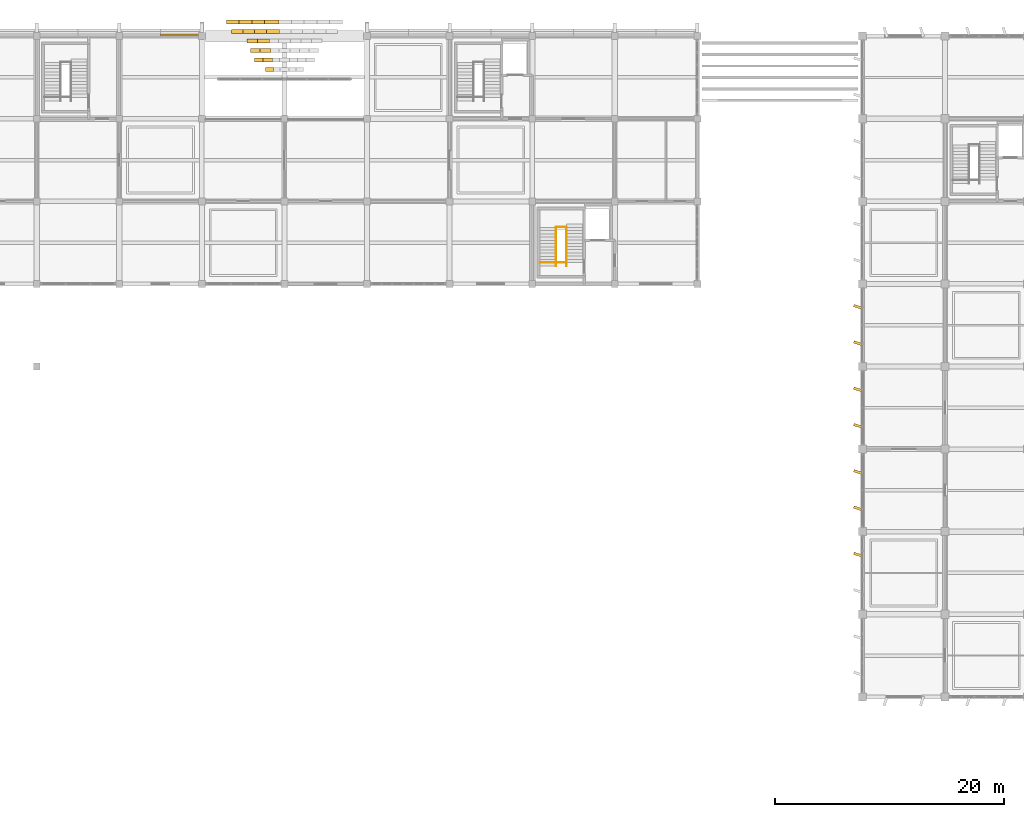
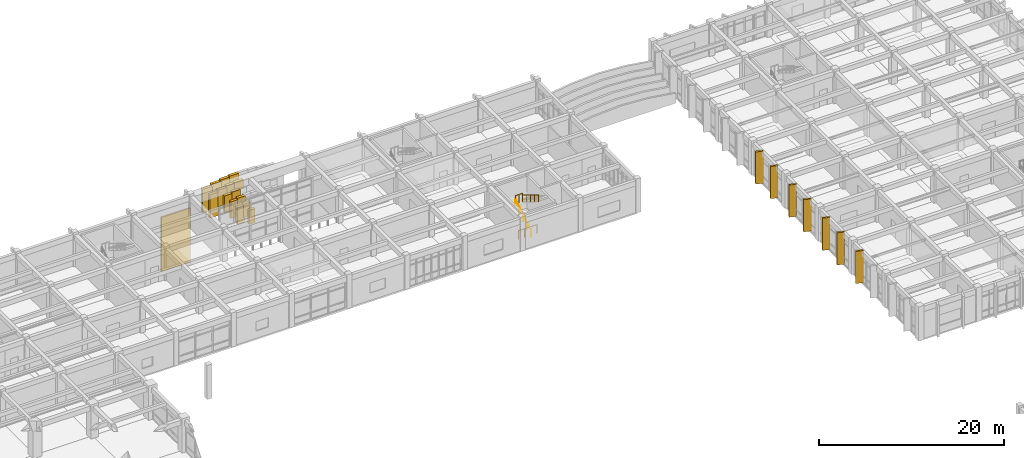
# One storey, part 77 of 81: 23 coverings, 4 railings.
"""IFC4 building model written with IfcOpenShell, lengths in metres."""

from ifc_helpers import new_model, si_unit, direction, frame, origin, origin_2d, place, context, subcontext, project, spatial, polyline, rectangle, circle, outline, extrude, material, layer, layer_set, type_object, element, save


model = new_model("IFC4")

# Units and contexts
model_context = context("Model", 3, precision=1e-05, world=origin(), true_north=direction((0.0, 1.0)))
body_context = subcontext(model_context, "Body", "Model", "MODEL_VIEW")
ifc_project = project(units=[si_unit("LENGTHUNIT", "METRE"), si_unit("AREAUNIT", "SQUARE_METRE"), si_unit("VOLUMEUNIT", "CUBIC_METRE"), si_unit("PLANEANGLEUNIT", "RADIAN"), si_unit("MASSUNIT", "GRAM", prefix="KILO")], contexts=[model_context])

# Site, building, storey
site_placement = place(None, origin())
site = spatial("IfcSite", under=ifc_project, at=site_placement, CompositionType="ELEMENT")
building_placement = place(site_placement, origin())
building = spatial("IfcBuilding", under=site, at=building_placement, Name="Kavelor Marine Aquarium", CompositionType="ELEMENT")
storey_placement = place(building_placement, frame((0.0, 0.0, 4.679931640625)))
storey = spatial("IfcBuildingStorey", under=building, at=storey_placement, Name="L01", CompositionType="ELEMENT", Elevation=4.679931640625)

# Coverings
ifc_material_1 = material(Name="Concrete C45/55", Category="concrete")
ifc_layer_1 = layer(ifc_material_1, 0.300048828125)
ifc_layer_set_1 = layer_set([ifc_layer_1], Name="COV-BND1")
covering_type_1 = type_object("IfcCoveringType", Name="COV-BND1", PredefinedType="CLADDING", material=ifc_layer_set_1)
covering_1_placement = place(storey_placement, frame((0.0, 0.0, 0.36669921875)))
element("IfcCovering", 1, at=covering_1_placement, inside=storey, type_object=covering_type_1, Name="arch:north:1:seg:01", PredefinedType="CLADDING", context=body_context, shape_type="SweptSolid", body=[
    extrude(outline(polyline([(62.94921875, 111.8701171875), (64.17822265625, 111.8701171875), (64.17822265625, 112.2099609375), (62.94921875, 112.2099609375), (62.94921875, 111.8701171875)])), origin(), (0.0, 0.0, 1.0), 3.125),
])
covering_2_placement = place(storey_placement, frame((0.0, 0.0, 1.59326171875)))
element("IfcCovering", 2, at=covering_2_placement, inside=storey, type_object=covering_type_1, Name="arch:north:1:seg:02", PredefinedType="CLADDING", context=body_context, shape_type="SweptSolid", body=[
    extrude(outline(polyline([(64.05810546875, 111.8701171875), (65.287353515625, 111.8701171875), (65.287353515625, 112.2099609375), (64.05810546875, 112.2099609375), (64.05810546875, 111.8701171875)])), origin(), (0.0, 0.0, 1.0), 2.164794921875),
])
covering_3_placement = place(storey_placement, frame((0.0, 0.0, 2.46923828125)))
element("IfcCovering", 3, at=covering_3_placement, inside=storey, type_object=covering_type_1, Name="arch:north:1:seg:03", PredefinedType="CLADDING", context=body_context, shape_type="SweptSolid", body=[
    extrude(outline(polyline([(65.167236328125, 111.8701171875), (66.396484375, 111.8701171875), (66.396484375, 112.2099609375), (65.167236328125, 112.2099609375), (65.167236328125, 111.8701171875)])), origin(), (0.0, 0.0, 1.0), 1.478759765625),
])
covering_4_placement = place(storey_placement, frame((0.0, 0.0, 2.994873046875)))
element("IfcCovering", 4, at=covering_4_placement, inside=storey, type_object=covering_type_1, Name="arch:north:1:seg:04", PredefinedType="CLADDING", context=body_context, shape_type="SweptSolid", body=[
    extrude(outline(polyline([(66.2763671875, 111.8701171875), (67.505615234375, 111.8701171875), (67.505615234375, 112.2099609375), (66.2763671875, 112.2099609375), (66.2763671875, 111.8701171875)])), origin(), (0.0, 0.0, 1.0), 1.067138671875),
])
ifc_material_2 = material(Name="Concrete C45/55", Category="concrete")
ifc_layer_2 = layer(ifc_material_2, 0.320068359375)
ifc_layer_set_2 = layer_set([ifc_layer_2], Name="COV-BND2")
covering_type_2 = type_object("IfcCoveringType", Name="COV-BND2", PredefinedType="CLADDING", material=ifc_layer_set_2)
covering_5_placement = place(storey_placement, frame((0.0, 0.0, 0.05712890625)))
element("IfcCovering", 5, at=covering_5_placement, inside=storey, type_object=covering_type_2, Name="arch:north:2:seg:01", PredefinedType="CLADDING", context=body_context, shape_type="SweptSolid", body=[
    extrude(outline(polyline([(63.37451171875, 111.0400390625), (64.509033203125, 111.0400390625), (64.509033203125, 111.3798828125), (63.37451171875, 111.3798828125), (63.37451171875, 111.0400390625)])), origin(), (0.0, 0.0, 1.0), 3.0546875),
])
covering_6_placement = place(storey_placement, frame((0.0, 0.0, 1.2001953125)))
element("IfcCovering", 6, at=covering_6_placement, inside=storey, type_object=covering_type_2, Name="arch:north:2:seg:02", PredefinedType="CLADDING", context=body_context, shape_type="SweptSolid", body=[
    extrude(outline(polyline([(64.38916015625, 111.0400390625), (65.523681640625, 111.0400390625), (65.523681640625, 111.3798828125), (64.38916015625, 111.3798828125), (64.38916015625, 111.0400390625)])), origin(), (0.0, 0.0, 1.0), 2.177734375),
])
covering_7_placement = place(storey_placement, frame((0.0, 0.0, 2.016845703125)))
element("IfcCovering", 7, at=covering_7_placement, inside=storey, type_object=covering_type_2, Name="arch:north:2:seg:03", PredefinedType="CLADDING", context=body_context, shape_type="SweptSolid", body=[
    extrude(outline(polyline([(65.403564453125, 111.0400390625), (66.5380859375, 111.0400390625), (66.5380859375, 111.3798828125), (65.403564453125, 111.3798828125), (65.403564453125, 111.0400390625)])), origin(), (0.0, 0.0, 1.0), 1.551025390625),
])
covering_8_placement = place(storey_placement, frame((0.0, 0.0, 2.5068359375)))
element("IfcCovering", 8, at=covering_8_placement, inside=storey, type_object=covering_type_2, Name="arch:north:2:seg:04", PredefinedType="CLADDING", context=body_context, shape_type="SweptSolid", body=[
    extrude(outline(polyline([(66.418212890625, 111.0400390625), (67.552734375, 111.0400390625), (67.552734375, 111.3798828125), (66.418212890625, 111.3798828125), (66.418212890625, 111.0400390625)])), origin(), (0.0, 0.0, 1.0), 1.17529296875),
])
ifc_material_3 = material(Name="Concrete C45/55", Category="concrete")
ifc_layer_3 = layer(ifc_material_3, 0.340087890625)
ifc_layer_set_3 = layer_set([ifc_layer_3], Name="COV-BND3")
covering_type_3 = type_object("IfcCoveringType", Name="COV-BND3", PredefinedType="CLADDING", material=ifc_layer_set_3)
covering_9_placement = place(storey_placement, frame((0.0, 0.0, 0.807373046875)))
element("IfcCovering", 9, at=covering_9_placement, inside=storey, type_object=covering_type_3, Name="arch:north:3:seg:02", PredefinedType="CLADDING", context=body_context, shape_type="SweptSolid", body=[
    extrude(outline(polyline([(64.719970703125, 110.2099609375), (65.760009765625, 110.2099609375), (65.760009765625, 110.550048828125), (64.719970703125, 110.550048828125), (64.719970703125, 110.2099609375)])), origin(), (0.0, 0.0, 1.0), 2.190673828125),
])
covering_10_placement = place(storey_placement, frame((0.0, 0.0, 1.564453125)))
element("IfcCovering", 10, at=covering_10_placement, inside=storey, type_object=covering_type_3, Name="arch:north:3:seg:03", PredefinedType="CLADDING", context=body_context, shape_type="SweptSolid", body=[
    extrude(outline(polyline([(65.639892578125, 110.2099609375), (66.679931640625, 110.2099609375), (66.679931640625, 110.550048828125), (65.639892578125, 110.550048828125), (65.639892578125, 110.2099609375)])), origin(), (0.0, 0.0, 1.0), 1.62353515625),
])
ifc_material_4 = material(Name="Concrete C45/55", Category="concrete")
ifc_layer_4 = layer(ifc_material_4, 0.360107421875)
ifc_layer_set_4 = layer_set([ifc_layer_4], Name="COV-BND4")
covering_type_4 = type_object("IfcCoveringType", Name="COV-BND4", PredefinedType="CLADDING", material=ifc_layer_set_4)
covering_11_placement = place(storey_placement, frame((0.0, 0.0, 0.41455078125)))
element("IfcCovering", 11, at=covering_11_placement, inside=storey, type_object=covering_type_4, Name="arch:north:4:seg:02", PredefinedType="CLADDING", context=body_context, shape_type="SweptSolid", body=[
    extrude(outline(polyline([(65.05078125, 109.3798828125), (65.996337890625, 109.3798828125), (65.996337890625, 109.719970703125), (65.05078125, 109.719970703125), (65.05078125, 109.3798828125)])), origin(), (0.0, 0.0, 1.0), 2.203369140625),
])
covering_12_placement = place(storey_placement, frame((0.0, 0.0, 1.112060546875)))
element("IfcCovering", 12, at=covering_12_placement, inside=storey, type_object=covering_type_4, Name="arch:north:4:seg:03", PredefinedType="CLADDING", context=body_context, shape_type="SweptSolid", body=[
    extrude(outline(polyline([(65.87646484375, 109.3798828125), (66.82177734375, 109.3798828125), (66.82177734375, 109.719970703125), (65.87646484375, 109.719970703125), (65.87646484375, 109.3798828125)])), origin(), (0.0, 0.0, 1.0), 1.69580078125),
])
ifc_material_5 = material(Name="Concrete C45/55", Category="concrete")
ifc_layer_5 = layer(ifc_material_5, 0.3798828125)
ifc_layer_set_5 = layer_set([ifc_layer_5], Name="COV-BND5")
covering_type_5 = type_object("IfcCoveringType", Name="COV-BND5", PredefinedType="CLADDING", material=ifc_layer_set_5)
covering_13_placement = place(storey_placement, frame((0.0, 0.0, 0.021728515625)))
element("IfcCovering", 13, at=covering_13_placement, inside=storey, type_object=covering_type_5, Name="arch:north:5:seg:02", PredefinedType="CLADDING", context=body_context, shape_type="SweptSolid", body=[
    extrude(outline(polyline([(65.3818359375, 108.550048828125), (66.232666015625, 108.550048828125), (66.232666015625, 108.889892578125), (65.3818359375, 108.889892578125), (65.3818359375, 108.550048828125)])), origin(), (0.0, 0.0, 1.0), 2.21630859375),
])
covering_14_placement = place(storey_placement, frame((0.0, 0.0, 0.65966796875)))
element("IfcCovering", 14, at=covering_14_placement, inside=storey, type_object=covering_type_5, Name="arch:north:5:seg:03", PredefinedType="CLADDING", context=body_context, shape_type="SweptSolid", body=[
    extrude(outline(polyline([(66.11279296875, 108.550048828125), (66.963623046875, 108.550048828125), (66.963623046875, 108.889892578125), (66.11279296875, 108.889892578125), (66.11279296875, 108.550048828125)])), origin(), (0.0, 0.0, 1.0), 1.768310546875),
])
ifc_material_6 = material(Name="Concrete C45/55", Category="concrete")
ifc_layer_6 = layer(ifc_material_6, 0.39990234375)
ifc_layer_set_6 = layer_set([ifc_layer_6], Name="COV-BND6")
covering_type_6 = type_object("IfcCoveringType", Name="COV-BND6", PredefinedType="CLADDING", material=ifc_layer_set_6)
covering_15_placement = place(storey_placement, frame((0.0, 0.0, -4.679931640625)))
element("IfcCovering", 15, at=covering_15_placement, inside=storey, type_object=covering_type_6, Name="band:north:6:l:05", PredefinedType="CLADDING", context=body_context, shape_type="SweptSolid", body=[
    extrude(outline(polyline([(57.199951171875, 110.800048828125), (60.800048828125, 110.800048828125), (60.800048828125, 110.989990234375), (57.199951171875, 110.989990234375), (57.199951171875, 110.800048828125)])), origin(), (0.0, 0.0, 1.0), 7.12060546875),
])
covering_16_placement = place(storey_placement, frame((0.0, 0.0, 0.207275390625)))
element("IfcCovering", 16, at=covering_16_placement, inside=storey, type_object=covering_type_6, Name="arch:north:6:seg:03", PredefinedType="CLADDING", context=body_context, shape_type="SweptSolid", body=[
    extrude(outline(polyline([(66.34912109375, 107.719970703125), (67.10546875, 107.719970703125), (67.10546875, 108.06005859375), (66.34912109375, 108.06005859375), (66.34912109375, 107.719970703125)])), origin(), (0.0, 0.0, 1.0), 1.840576171875),
])
ifc_material_7 = material(Name="Precast Concrete C45/55 Coastal Brise-Soleil Fin", Category="concrete")
ifc_layer_7 = layer(ifc_material_7, 0.219970703125)
ifc_layer_set_7 = layer_set([ifc_layer_7], Name="COV-CL1")
covering_type_7 = type_object("IfcCoveringType", Name="COV-CL1", PredefinedType="CLADDING", material=ifc_layer_set_7)
for number, where, z_axis, x_axis, name in (
    (17, (118.0400390625, 65.583984375, 0.0), (0.0, 0.0, 1.0), (0.951056516295, -0.309016994375, 0.0), "fin:y:L01:16_08:1"),
    (18, (118.0400390625, 69.615966796875, 0.0), (0.0, 0.0, 1.0), (0.951056516295, -0.309016994375, 0.0), "fin:y:L01:16_09:0"),
    (19, (118.0400390625, 72.783935546875, 0.0), (0.0, 0.0, 1.0), (0.951056516295, -0.309016994375, 0.0), "fin:y:L01:16_09:1"),
    (20, (118.0400390625, 76.81591796875, 0.0), (0.0, 0.0, 1.0), (0.951056516295, -0.309016994375, 0.0), "fin:y:L01:16_10:0"),
    (21, (118.0400390625, 79.98388671875, 0.0), (0.0, 0.0, 1.0), (0.951056516295, -0.309016994375, 0.0), "fin:y:L01:16_10:1"),
    (22, (118.0400390625, 84.01611328125, 0.0), (0.0, 0.0, 1.0), (0.951056516295, -0.309016994375, 0.0), "fin:y:L01:16_11:0"),
    (23, (118.0400390625, 87.18408203125, 0.0), (0.0, 0.0, 1.0), (0.951056516295, -0.309016994375, 0.0), "fin:y:L01:16_11:1"),
):
    element("IfcCovering", number, at=place(storey_placement, frame(where, z_axis=z_axis, x_axis=x_axis)), inside=storey, type_object=covering_type_7, Name=name, PredefinedType="CLADDING", context=body_context, shape_type="SweptSolid", body=[
        extrude(rectangle(XDim=0.85009765625, YDim=0.219970703125, at=origin_2d()), origin(), (0.0, 0.0, 1.0), 4.239990234375),
    ])

# Railings
ifc_material_8 = material(Name="Brushed Stainless Steel Wall and Flight Handrail", Category="steel")
railing_type_1 = type_object("IfcRailingType", Name="RL-HR1", PredefinedType="HANDRAIL", material=ifc_material_8)
railing_1_placement = place(storey_placement, frame((91.68994140625, 90.760009765625, 0.0)))
element("IfcRailing", 24, at=railing_1_placement, inside=storey, type_object=railing_type_1, Name="Stair Handrail ST07-1", PredefinedType="HANDRAIL", context=body_context, shape_type="SweptSolid", body=[
    extrude(circle(Radius=0.02001953125, at=origin_2d()), frame((0.0, 0.0, 0.8798828125), z_axis=(0.0, 0.850623216509, 0.525775754039), x_axis=(-1.0, 0.0, 0.0)), (0.0, 0.0, 1.0), 3.9501953125),
    extrude(circle(Radius=0.01806640625, at=origin_2d()), origin(), (0.0, 0.0, 1.0), 0.85986328125),
    extrude(circle(Radius=0.01806640625, at=origin_2d()), frame((0.0, 0.840087890625, 0.519287109375)), (0.0, 0.0, 1.0), 0.85986328125),
    extrude(circle(Radius=0.01806640625, at=origin_2d()), frame((0.0, 1.68017578125, 1.03857421875)), (0.0, 0.0, 1.0), 0.85986328125),
    extrude(circle(Radius=0.01806640625, at=origin_2d()), frame((0.0, 2.52001953125, 1.5576171875)), (0.0, 0.0, 1.0), 0.85986328125),
    extrude(circle(Radius=0.01806640625, at=origin_2d()), frame((0.0, 3.360107421875, 2.076904296875)), (0.0, 0.0, 1.0), 0.85986328125),
])
railing_2_placement = place(storey_placement, frame((92.590087890625, 94.1201171875, 2.25)))
element("IfcRailing", 25, at=railing_2_placement, inside=storey, type_object=railing_type_1, Name="Stair Handrail ST07-2", PredefinedType="HANDRAIL", context=body_context, shape_type="SweptSolid", body=[
    extrude(circle(Radius=0.02001953125, at=origin_2d()), frame((0.0, 0.0, 0.8798828125), z_axis=(0.0, -0.850623216509, 0.525775754039), x_axis=(1.0, 0.0, 0.0)), (0.0, 0.0, 1.0), 3.9501953125),
    extrude(circle(Radius=0.01806640625, at=origin_2d()), origin(), (0.0, 0.0, 1.0), 0.85986328125),
    extrude(circle(Radius=0.01806640625, at=origin_2d()), frame((0.0, -0.840087890625, 0.519287109375)), (0.0, 0.0, 1.0), 0.85986328125),
    extrude(circle(Radius=0.01806640625, at=origin_2d()), frame((0.0, -1.68017578125, 1.03857421875)), (0.0, 0.0, 1.0), 0.85986328125),
    extrude(circle(Radius=0.01806640625, at=origin_2d()), frame((0.0, -2.52001953125, 1.5576171875)), (0.0, 0.0, 1.0), 0.85986328125),
    extrude(circle(Radius=0.01806640625, at=origin_2d()), frame((0.0, -3.360107421875, 2.076904296875)), (0.0, 0.0, 1.0), 0.85986328125),
])
ifc_material_9 = material(Name="Brushed Stainless Steel Stair Guardrail", Category="steel")
railing_type_2 = type_object("IfcRailingType", Name="RL-SG1", PredefinedType="GUARDRAIL", material=ifc_material_9)
railing_3_placement = place(storey_placement, frame((91.68994140625, 94.14990234375, 2.25)))
element("IfcRailing", 26, at=railing_3_placement, inside=storey, type_object=railing_type_2, Name="Landing Guardrail ST07-M", PredefinedType="GUARDRAIL", context=body_context, shape_type="SweptSolid", body=[
    extrude(circle(Radius=0.0224609375, at=origin_2d()), frame((0.0, 0.0, 1.09765625), z_axis=(1.0, 0.0, 0.0), x_axis=(0.0, 1.0, 0.0)), (0.0, 0.0, 1.0), 0.900146484375),
    extrude(circle(Radius=0.02099609375, at=origin_2d()), origin(), (0.0, 0.0, 1.0), 1.0751953125),
    extrude(circle(Radius=0.02099609375, at=origin_2d()), frame((0.4501953125, 0.0, 0.0)), (0.0, 0.0, 1.0), 1.0751953125),
    extrude(circle(Radius=0.02099609375, at=origin_2d()), frame((0.900146484375, 0.0, 0.0)), (0.0, 0.0, 1.0), 1.0751953125),
])
railing_4_placement = place(storey_placement, frame((90.280029296875, 91.080078125, 0.0)))
element("IfcRailing", 27, at=railing_4_placement, inside=storey, type_object=railing_type_2, Name="Stairwell Guardrail ST07-W", PredefinedType="GUARDRAIL", context=body_context, shape_type="SweptSolid", body=[
    extrude(circle(Radius=0.0224609375, at=origin_2d()), frame((0.0, 0.0, 1.09765625), z_axis=(1.0, 0.0, 0.0), x_axis=(0.0, 1.0, 0.0)), (0.0, 0.0, 1.0), 2.300048828125),
    extrude(circle(Radius=0.02099609375, at=origin_2d()), origin(), (0.0, 0.0, 1.0), 1.0751953125),
    extrude(circle(Radius=0.02099609375, at=origin_2d()), frame((0.7666015625, 0.0, 0.0)), (0.0, 0.0, 1.0), 1.0751953125),
    extrude(circle(Radius=0.02099609375, at=origin_2d()), frame((1.533447265625, 0.0, 0.0)), (0.0, 0.0, 1.0), 1.0751953125),
    extrude(circle(Radius=0.02099609375, at=origin_2d()), frame((2.300048828125, 0.0, 0.0)), (0.0, 0.0, 1.0), 1.0751953125),
])

save(model, "model.ifc")
